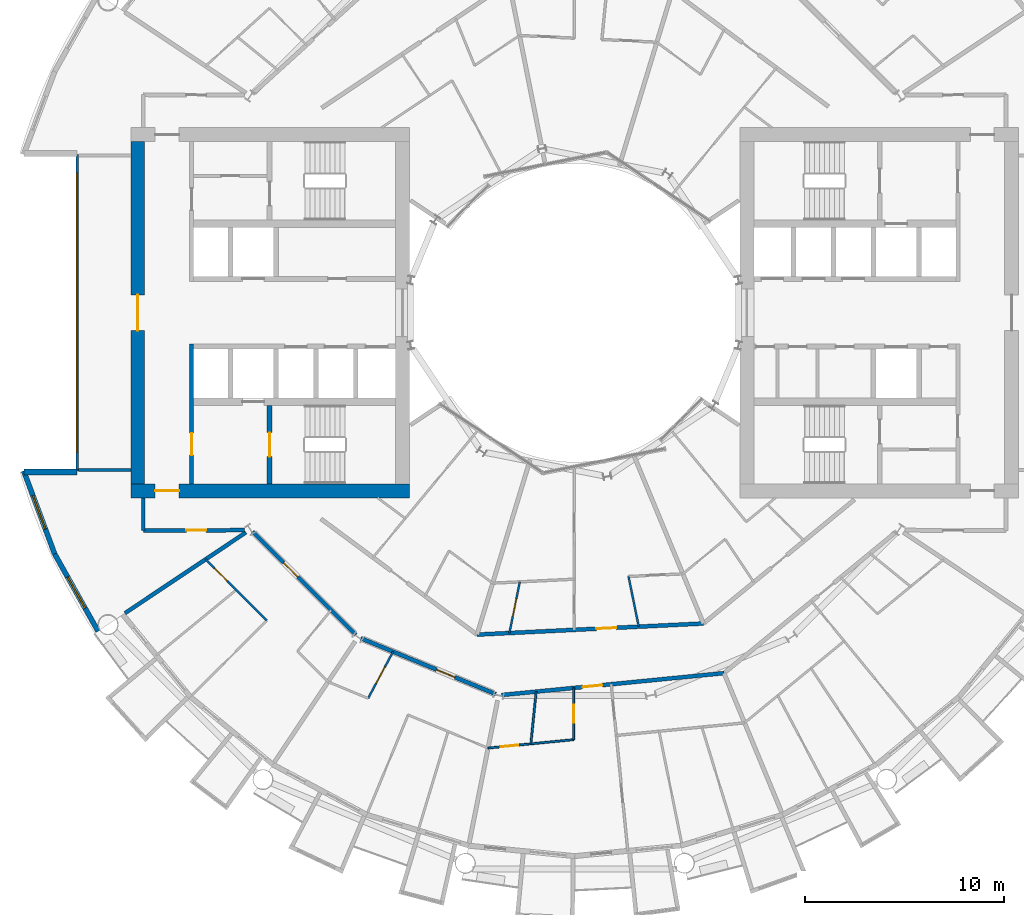
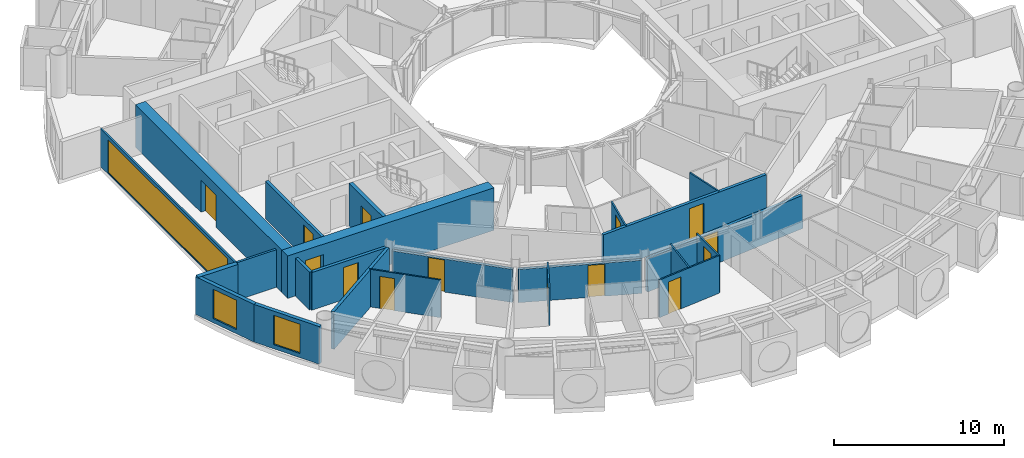
# One storey, part 14 of 26: 23 walls, 14 doors, 3 windows, 17 openings.
"""IFC4 building model written with IfcOpenShell, lengths in metres."""

import ifcopenshell
import ifcopenshell.guid

model = None  # the IFC model being written
_history = None  # IfcOwnerHistory: only IFC2X3 demands one
_inside = {}  # id of a spatial element -> (the spatial element, [elements in it])
_under = {}  # id of a project, library or spatial element -> (it, [spatial elements below it])
_declared = {}  # id of a project -> (the project, [libraries it declares])
_typed = {}  # id of a type object -> (the type object, [elements of that type])
_made_of = {}  # id of a material, layer set ... -> (it, [elements and type objects made of it])


def new_model(schema):
    """Start an empty IFC model of exactly this schema.

    Asked for "IFC4X3", IfcOpenShell would pick the latest addendum, in which some entities
    have other attributes; the version numbers below select the first issue.
    IFC2X3 requires an IfcOwnerHistory on every rooted entity: one is made here for all.
    """
    global model, _history
    if schema == "IFC4X3":
        model = ifcopenshell.file(schema_version=(4, 3, 0, 0))
    else:
        model = ifcopenshell.file(schema=schema)
    _inside.clear()
    _under.clear()
    _declared.clear()
    _typed.clear()
    _made_of.clear()
    _history = None
    if model.schema == "IFC2X3":
        org = make("IfcOrganization", Name="unknown")
        user = make(
            "IfcPersonAndOrganization",
            ThePerson=make("IfcPerson", FamilyName="unknown"),
            TheOrganization=org,
        )
        app = make(
            "IfcApplication",
            ApplicationDeveloper=org,
            Version="unknown",
            ApplicationFullName="unknown",
            ApplicationIdentifier="unknown",
        )
        _history = make(
            "IfcOwnerHistory",
            OwningUser=user,
            OwningApplication=app,
            ChangeAction="ADDED",
            CreationDate=0,
        )
    return model


def make(cls, **values):
    """One entity of the class cls with the attributes given. An attribute that is None is left unset."""
    return model.create_entity(
        cls, **{name: value for name, value in values.items() if value is not None}
    )


def rooted(cls, **values):
    """An entity with a GlobalId (a new one), such as an element, a storey or a relation."""
    return make(cls, GlobalId=ifcopenshell.guid.new(), OwnerHistory=_history, **values)


def si_unit(unit_type, name, prefix=None):
    """IfcSIUnit, for example si_unit("LENGTHUNIT", "METRE", prefix="MILLI")."""
    return make("IfcSIUnit", UnitType=unit_type, Prefix=prefix, Name=name)


def assignment(units):
    """IfcUnitAssignment: the units of a project."""
    return None if units is None else make("IfcUnitAssignment", Units=units)


def point(xyz):
    """IfcCartesianPoint."""
    return None if xyz is None else make("IfcCartesianPoint", Coordinates=xyz)


def direction(xyz):
    """IfcDirection."""
    return None if xyz is None else make("IfcDirection", DirectionRatios=xyz)


def frame(location, z_axis=None, x_axis=None):
    """IfcAxis2Placement3D, a coordinate frame: its origin and axes. An axis left out is left unset."""
    return make(
        "IfcAxis2Placement3D",
        Location=point(location),
        Axis=direction(z_axis),
        RefDirection=direction(x_axis),
    )


def frame_2d(location, x_axis=None):
    """IfcAxis2Placement2D, a coordinate frame in the plane: its origin and x axis."""
    return make(
        "IfcAxis2Placement2D", Location=point(location), RefDirection=direction(x_axis)
    )


def origin():
    """The frame at (0, 0, 0) with its axes left unset."""
    return frame((0.0, 0.0, 0.0))


def place(relative_to, where):
    """IfcLocalPlacement: puts the frame where relative to a parent placement (None: the world)."""
    return make(
        "IfcLocalPlacement", PlacementRelTo=relative_to, RelativePlacement=where
    )


def context(
    kind, dimensions, precision=None, world=None, true_north=None, identifier=None
):
    """IfcGeometricRepresentationContext, for example the 3D "Model" context."""
    return make(
        "IfcGeometricRepresentationContext",
        ContextIdentifier=identifier,
        ContextType=kind,
        CoordinateSpaceDimension=dimensions,
        Precision=precision,
        WorldCoordinateSystem=world,
        TrueNorth=true_north,
    )


def subcontext(parent, identifier, kind, view, scale=None):
    """IfcGeometricRepresentationSubContext, for example "Body" below "Model"."""
    return make(
        "IfcGeometricRepresentationSubContext",
        ContextIdentifier=identifier,
        ContextType=kind,
        ParentContext=parent,
        TargetScale=scale,
        TargetView=view,
    )


def project(units=None, contexts=None):
    """IfcProject with its units and contexts."""
    return rooted(
        "IfcProject",
        Name="project",
        RepresentationContexts=contexts,
        UnitsInContext=assignment(units),
    )


def spatial(cls, under=None, at=None, **own):
    """A site, building, storey or space (cls), placed at a placement, below another one or the project."""
    s = rooted(cls, ObjectPlacement=at, **own)
    if under is not None:
        _under.setdefault(under.id(), (under, []))[1].append(s)
    return s


def profile(cls, at=None, kind="AREA", **sizes):
    """A parametric profile (cls). Its sizes go by their IFC names, for example OverallWidth=200.0."""
    return make(cls, ProfileType=kind, Position=at, **sizes)


def rectangle(**sizes):
    """IfcRectangleProfileDef."""
    return profile("IfcRectangleProfileDef", **sizes)


def extrude(swept, where, along, depth):
    """IfcExtrudedAreaSolid: the profile swept, set in the frame where, extruded along a direction by depth."""
    return make(
        "IfcExtrudedAreaSolid",
        SweptArea=swept,
        Position=where,
        ExtrudedDirection=direction(along),
        Depth=depth,
    )


def shape(context_of_items, identifier, shape_type, items):
    """IfcShapeRepresentation: the items that make up one representation, for example the "Body"."""
    return make(
        "IfcShapeRepresentation",
        ContextOfItems=context_of_items,
        RepresentationIdentifier=identifier,
        RepresentationType=shape_type,
        Items=items,
    )


def material(Name=None, Category=None):
    """IfcMaterial."""
    return make("IfcMaterial", Name=Name, Category=Category)


def layer(
    of_material, thickness, ventilated=None, Name=None, Category=None, Priority=None
):
    """IfcMaterialLayer: one layer of a wall or slab, of a material (None: an air gap)."""
    return make(
        "IfcMaterialLayer",
        Material=of_material,
        LayerThickness=thickness,
        IsVentilated=ventilated,
        Name=Name,
        Category=Category,
        Priority=Priority,
    )


def layer_set(layers, Name=None):
    """IfcMaterialLayerSet."""
    return make("IfcMaterialLayerSet", MaterialLayers=layers, LayerSetName=Name)


def made_of(thing, what):
    """Note that an element or type object is made of a material, layer set ...; save() writes the relation."""
    if what is not None:
        _made_of.setdefault(what.id(), (what, []))[1].append(thing)
    return thing


def type_object(cls, material=None, **own):
    """A type object (cls), such as IfcWallType, which elements share."""
    return made_of(rooted(cls, **own), material)


def element(
    cls,
    number,
    at=None,
    inside=None,
    cuts=None,
    type_object=None,
    material=None,
    context=None,
    identifier="Body",
    shape_type=None,
    held_by="IfcProductDefinitionShape",
    body=None,
    shapes=None,
    **own,
):
    """One element of the class cls, such as IfcWall. Its Tag is "e" and its number.

    at: its placement. inside: the storey or other place that contains it. cuts: it is an
    opening in that element (IfcRelVoidsElement). A single representation is given by context,
    identifier, shape_type and body (its items); several are given by shapes. held_by: the class
    of the entity that holds the representations. save() writes the other relations.
    """
    e = rooted(cls, Tag="e%d" % number, ObjectPlacement=at, **own)
    if body is not None:
        shapes = [shape(context, identifier, shape_type, body)]
    if shapes is not None:
        e.Representation = make(held_by, Representations=shapes)
    if inside is not None:
        _inside.setdefault(inside.id(), (inside, []))[1].append(e)
    if cuts is not None:
        rooted(
            "IfcRelVoidsElement", RelatingBuildingElement=cuts, RelatedOpeningElement=e
        )
    if type_object is not None:
        _typed.setdefault(type_object.id(), (type_object, []))[1].append(e)
    return made_of(e, material)


def fill(opening, filler):
    """IfcRelFillsElement: the door or window that sits in an opening."""
    return rooted(
        "IfcRelFillsElement",
        RelatingOpeningElement=opening,
        RelatedBuildingElement=filler,
    )


def aggregate(whole, parts):
    """IfcRelAggregates: a whole, such as a stair, and the parts it consists of."""
    return rooted("IfcRelAggregates", RelatingObject=whole, RelatedObjects=parts)


def save(model, path):
    """Write the relations noted so far, then the file.

    IfcRelAggregates (storeys below a building ...), IfcRelContainedInSpatialStructure (elements
    in a storey), IfcRelDefinesByType, IfcRelAssociatesMaterial and IfcRelDeclares: one each for
    every whole, place, type object, material and project.
    """
    for whole, parts in _under.values():
        aggregate(whole, parts)
    for where, things in _inside.values():
        rooted(
            "IfcRelContainedInSpatialStructure",
            RelatedElements=things,
            RelatingStructure=where,
        )
    for kind, things in _typed.values():
        rooted("IfcRelDefinesByType", RelatedObjects=things, RelatingType=kind)
    for what, things in _made_of.values():
        rooted("IfcRelAssociatesMaterial", RelatedObjects=things, RelatingMaterial=what)
    for by, libraries in _declared.values():
        rooted("IfcRelDeclares", RelatingContext=by, RelatedDefinitions=libraries)
    model.write(path)


model = new_model("IFC4")

# Units and contexts
model_context = context("Model", 3, precision=1e-05, world=origin(), true_north=direction((0.0, 1.0)))
body_context = subcontext(model_context, "Body", "Model", "MODEL_VIEW")
ifc_project = project(units=[si_unit("LENGTHUNIT", "METRE"), si_unit("AREAUNIT", "SQUARE_METRE"), si_unit("VOLUMEUNIT", "CUBIC_METRE"), si_unit("PLANEANGLEUNIT", "RADIAN"), si_unit("MASSUNIT", "GRAM", prefix="KILO")], contexts=[model_context])

# Site, building, storey
site_placement = place(None, origin())
site = spatial("IfcSite", under=ifc_project, at=site_placement, CompositionType="ELEMENT")
building_placement = place(site_placement, origin())
building = spatial("IfcBuilding", under=site, at=building_placement, Name="Maasbend Ring Residences", CompositionType="ELEMENT")
storey_placement = place(building_placement, frame((0.0, 0.0, 66.64990234375)))
storey = spatial("IfcBuildingStorey", under=building, at=storey_placement, Name="L18", CompositionType="ELEMENT", Elevation=66.64990234375)

# Wall, opening, door
ifc_material_1 = material(Name="Concrete C70/85", Category="concrete")
ifc_layer_1 = layer(ifc_material_1, 0.25)
ifc_layer_set_1 = layer_set([ifc_layer_1], Name="Concrete C70/85")
wall_type_1 = type_object("IfcWallType", Name="CORE WALL 250 C70/85", PredefinedType="SHEAR", material=ifc_layer_set_1)
wall_1_placement = place(storey_placement, frame((-15.324951171875, -4.64990234375, 0.0), z_axis=(0.0, 0.0, 1.0), x_axis=(0.0, -1.0, 0.0)))
wall_1 = element("IfcWall", 1, at=wall_1_placement, inside=storey, type_object=wall_type_1, Name="L18 core W wall STEN", PredefinedType="SHEAR", context=body_context, shape_type="SweptSolid", body=[
    extrude(rectangle(XDim=3.9501953125, YDim=0.25, at=frame_2d((1.97509765625, 0.0))), origin(), (0.0, 0.0, 1.0), 3.050048828125),
])
opening_1_placement = place(wall_1_placement, frame((1.375, 0.0, 0.0)))
opening_1 = element("IfcOpeningElement", 2, at=opening_1_placement, cuts=wall_1, Name="Opening D-W1808", PredefinedType="OPENING", context=body_context, shape_type="SweptSolid", body=[
    extrude(rectangle(XDim=1.199951171875, YDim=2.300048828125, at=frame_2d((0.60009765625, 1.14990234375))), frame((0.0, 0.135009765625, 0.0), z_axis=(0.0, -1.0, 0.0), x_axis=(1.0, 0.0, 0.0)), (0.0, 0.0, 1.0), 0.27001953125),
])
ifc_material_2 = material(Name="Steel, powder coated", Category="steel")
door_type_1 = type_object("IfcDoorType", Name="STAIR DOOR 1200 X 2300 FD60", OperationType="NOTDEFINED", PredefinedType="DOOR", material=ifc_material_2)
door_1_placement = place(opening_1_placement, origin())
door_1 = element("IfcDoor", 3, at=door_1_placement, inside=storey, type_object=door_type_1, Name="Stair door ST-W L18", OperationType="SINGLE_SWING_LEFT", OverallHeight=2.300048828125, OverallWidth=1.199951171875, PredefinedType="DOOR", context=body_context, shape_type="SweptSolid", body=[
    extrude(rectangle(XDim=1.199951171875, YDim=2.300048828125, at=frame_2d((0.60009765625, 1.14990234375))), frame((0.0, 0.02490234375, 0.0), z_axis=(0.0, -1.0, 0.0), x_axis=(1.0, 0.0, 0.0)), (0.0, 0.0, 1.0), 0.050048828125),
])
fill(opening_1, door_1)

ifc_material_3 = material(Name="Concrete C70/85", Category="concrete")
ifc_layer_2 = layer(ifc_material_3, 0.699951171875)
ifc_layer_set_2 = layer_set([ifc_layer_2], Name="Concrete C70/85")
wall_type_2 = type_object("IfcWallType", Name="CORE WALL 700 C70/85", PredefinedType="SHEAR", material=ifc_layer_set_2)
wall_2_placement = place(storey_placement, frame((-22.300048828125, -8.949951171875, 0.0), z_axis=(0.0, 0.0, 1.0), x_axis=(1.0, 0.0, 0.0)))
wall_2 = element("IfcWall", 4, at=wall_2_placement, inside=storey, type_object=wall_type_2, Name="L18 core W wall PN", PredefinedType="SHEAR", context=body_context, shape_type="SweptSolid", body=[
    extrude(rectangle(XDim=14.0, YDim=0.699951171875, at=frame_2d((7.0, 0.0))), origin(), (0.0, 0.0, 1.0), 3.050048828125),
])
opening_2_placement = place(wall_2_placement, frame((1.22509765625, 0.0, 0.0)))
opening_2 = element("IfcOpeningElement", 5, at=opening_2_placement, cuts=wall_2, Name="Opening D-W1812", PredefinedType="OPENING", context=body_context, shape_type="SweptSolid", body=[
    extrude(rectangle(XDim=1.199951171875, YDim=2.300048828125, at=frame_2d((0.60009765625, 1.14990234375))), frame((0.0, 0.35986328125, 0.0), z_axis=(0.0, -1.0, 0.0), x_axis=(1.0, 0.0, 0.0)), (0.0, 0.0, 1.0), 0.719970703125),
])
ifc_material_4 = material(Name="Steel, powder coated", Category="steel")
door_type_2 = type_object("IfcDoorType", Name="CORRIDOR DOOR 1200 X 2300 FD30S", OperationType="NOTDEFINED", PredefinedType="DOOR", material=ifc_material_4)
door_2_placement = place(opening_2_placement, origin())
door_2 = element("IfcDoor", 6, at=door_2_placement, inside=storey, type_object=door_type_2, Name="Corridor door L18", OperationType="SINGLE_SWING_RIGHT", OverallHeight=2.300048828125, OverallWidth=1.199951171875, PredefinedType="DOOR", context=body_context, shape_type="SweptSolid", body=[
    extrude(rectangle(XDim=1.199951171875, YDim=2.300048828125, at=frame_2d((0.60009765625, 1.14990234375))), frame((0.0, 0.02490234375, 0.0), z_axis=(0.0, -1.0, 0.0), x_axis=(1.0, 0.0, 0.0)), (0.0, 0.0, 1.0), 0.050048828125),
])
fill(opening_2, door_2)

wall_3_placement = place(storey_placement, frame((-21.949951171875, -8.60009765625, 0.0), z_axis=(0.0, 0.0, 1.0), x_axis=(0.0, 1.0, 0.0)))
wall_3 = element("IfcWall", 7, at=wall_3_placement, inside=storey, type_object=wall_type_2, Name="L18 core W wall POUT", PredefinedType="SHEAR", context=body_context, shape_type="SweptSolid", body=[
    extrude(rectangle(XDim=17.2001953125, YDim=0.699951171875, at=frame_2d((8.60009765625, 0.0))), origin(), (0.0, 0.0, 1.0), 3.050048828125),
])
opening_3_placement = place(wall_3_placement, frame((7.699951171875, 0.0, 0.0)))
opening_3 = element("IfcOpeningElement", 8, at=opening_3_placement, cuts=wall_3, Name="Opening D-W1814", PredefinedType="OPENING", context=body_context, shape_type="SweptSolid", body=[
    extrude(rectangle(XDim=1.800048828125, YDim=2.300048828125, at=frame_2d((0.89990234375, 1.14990234375))), frame((0.0, 0.35986328125, 0.0), z_axis=(0.0, -1.0, 0.0), x_axis=(1.0, 0.0, 0.0)), (0.0, 0.0, 1.0), 0.719970703125),
])
ifc_material_5 = material(Name="Aluminium frame, clear glass", Category="aluminium")
door_type_3 = type_object("IfcDoorType", Name="ENTRANCE DOOR 1800 X 2300 FD60", OperationType="NOTDEFINED", PredefinedType="DOOR", material=ifc_material_5)
door_3_placement = place(opening_3_placement, origin())
door_3 = element("IfcDoor", 9, at=door_3_placement, inside=storey, type_object=door_type_3, Name="Lobby glazed door L18", OperationType="SINGLE_SWING_LEFT", OverallHeight=2.300048828125, OverallWidth=1.800048828125, PredefinedType="DOOR", context=body_context, shape_type="SweptSolid", body=[
    extrude(rectangle(XDim=1.800048828125, YDim=2.300048828125, at=frame_2d((0.89990234375, 1.14990234375))), frame((0.0, 0.02490234375, 0.0), z_axis=(0.0, -1.0, 0.0), x_axis=(1.0, 0.0, 0.0)), (0.0, 0.0, 1.0), 0.050048828125),
])
fill(opening_3, door_3)

ifc_material_6 = material(Name="Concrete C30/37", Category="concrete")
ifc_layer_3 = layer(ifc_material_6, 0.199951171875)
ifc_layer_set_3 = layer_set([ifc_layer_3], Name="Concrete C30/37")
wall_type_3 = type_object("IfcWallType", Name="CORRIDOR WALL 200 CONCRETE", PredefinedType="PARTITIONING", material=ifc_layer_set_3)
wall_4_placement = place(storey_placement, frame((-16.18603515625, -11.0, 0.0), z_axis=(0.0, 0.0, 1.0), x_axis=(0.707106781187, -0.707106781187, 0.0)))
wall_4 = element("IfcWall", 10, at=wall_4_placement, inside=storey, type_object=wall_type_3, Name="U-L18-w011", PredefinedType="PARTITIONING", context=body_context, shape_type="SweptSolid", body=[
    extrude(rectangle(XDim=7.334228515625, YDim=0.199951171875, at=frame_2d((3.6669921875, 0.0))), origin(), (0.0, 0.0, 1.0), 2.380126953125),
])
opening_4_placement = place(wall_4_placement, frame((2.2109375, 0.0, 0.0)))
opening_4 = element("IfcOpeningElement", 11, at=opening_4_placement, cuts=wall_4, Name="Opening D-1835", PredefinedType="OPENING", context=body_context, shape_type="SweptSolid", body=[
    extrude(rectangle(XDim=1.0, YDim=2.300048828125, at=frame_2d((0.5, 1.14990234375))), frame((0.0, 0.10986328125, 0.0), z_axis=(0.0, -1.0, 0.0), x_axis=(1.0, 0.0, 0.0)), (0.0, 0.0, 1.0), 0.219970703125),
])
ifc_material_7 = material(Name="Timber, fire-rated, painted", Category="wood")
door_type_4 = type_object("IfcDoorType", Name="FLAT ENTRANCE DOOR 1000 X 2300 FIRE-RATED", OperationType="NOTDEFINED", PredefinedType="DOOR", material=ifc_material_7)
door_4_placement = place(opening_4_placement, origin())
door_4 = element("IfcDoor", 12, at=door_4_placement, inside=storey, type_object=door_type_4, Name="D-1835", OperationType="SINGLE_SWING_LEFT", OverallHeight=2.300048828125, OverallWidth=1.0, PredefinedType="DOOR", context=body_context, shape_type="SweptSolid", body=[
    extrude(rectangle(XDim=1.0, YDim=2.300048828125, at=frame_2d((0.5, 1.14990234375))), frame((0.0, 0.02490234375, 0.0), z_axis=(0.0, -1.0, 0.0), x_axis=(1.0, 0.0, 0.0)), (0.0, 0.0, 1.0), 0.050048828125),
])
fill(opening_4, door_4)

wall_5_placement = place(storey_placement, frame((-10.7451171875, -16.35595703125, 0.0), z_axis=(0.0, 0.0, 1.0), x_axis=(0.923881347896, -0.382679049609, 0.0)))
wall_5 = element("IfcWall", 13, at=wall_5_placement, inside=storey, type_object=wall_type_3, Name="U-L18-w012", PredefinedType="PARTITIONING", context=body_context, shape_type="SweptSolid", body=[
    extrude(rectangle(XDim=7.33544921875, YDim=0.199951171875, at=frame_2d((3.667724609375, 0.0))), origin(), (0.0, 0.0, 1.0), 2.380126953125),
])
opening_5_placement = place(wall_5_placement, frame((4.1240234375, 0.0, 0.0)))
opening_5 = element("IfcOpeningElement", 14, at=opening_5_placement, cuts=wall_5, Name="Opening D-1839", PredefinedType="OPENING", context=body_context, shape_type="SweptSolid", body=[
    extrude(rectangle(XDim=1.0, YDim=2.300048828125, at=frame_2d((0.5, 1.14990234375))), frame((0.0, 0.10986328125, 0.0), z_axis=(0.0, -1.0, 0.0), x_axis=(1.0, 0.0, 0.0)), (0.0, 0.0, 1.0), 0.219970703125),
])
door_5_placement = place(opening_5_placement, origin())
door_5 = element("IfcDoor", 15, at=door_5_placement, inside=storey, type_object=door_type_4, Name="D-1839", OperationType="SINGLE_SWING_RIGHT", OverallHeight=2.300048828125, OverallWidth=1.0, PredefinedType="DOOR", context=body_context, shape_type="SweptSolid", body=[
    extrude(rectangle(XDim=1.0, YDim=2.300048828125, at=frame_2d((0.5, 1.14990234375))), frame((0.0, 0.02490234375, 0.0), z_axis=(0.0, -1.0, 0.0), x_axis=(1.0, 0.0, 0.0)), (0.0, 0.0, 1.0), 0.050048828125),
])
fill(opening_5, door_5)

wall_6_placement = place(storey_placement, frame((-3.6650390625, -19.20703125, 0.0), z_axis=(0.0, 0.0, 1.0), x_axis=(0.995190249661, 0.097961048277, 0.0)))
wall_6 = element("IfcWall", 16, at=wall_6_placement, inside=storey, type_object=wall_type_3, Name="U-L18-w013", PredefinedType="PARTITIONING", context=body_context, shape_type="SweptSolid", body=[
    extrude(rectangle(XDim=11.219970703125, YDim=0.199951171875, at=frame_2d((5.60986328125, 0.0))), origin(), (0.0, 0.0, 1.0), 2.380126953125),
])
opening_6_placement = place(wall_6_placement, frame((4.080078125, 0.0, 0.0)))
opening_6 = element("IfcOpeningElement", 17, at=opening_6_placement, cuts=wall_6, Name="Opening D-1843", PredefinedType="OPENING", context=body_context, shape_type="SweptSolid", body=[
    extrude(rectangle(XDim=1.0, YDim=2.300048828125, at=frame_2d((0.5, 1.14990234375))), frame((0.0, 0.10986328125, 0.0), z_axis=(0.0, -1.0, 0.0), x_axis=(1.0, 0.0, 0.0)), (0.0, 0.0, 1.0), 0.219970703125),
])
door_6_placement = place(opening_6_placement, origin())
door_6 = element("IfcDoor", 18, at=door_6_placement, inside=storey, type_object=door_type_4, Name="D-1843", OperationType="SINGLE_SWING_LEFT", OverallHeight=2.300048828125, OverallWidth=1.0, PredefinedType="DOOR", context=body_context, shape_type="SweptSolid", body=[
    extrude(rectangle(XDim=1.0, YDim=2.300048828125, at=frame_2d((0.5, 1.14990234375))), frame((0.0, 0.02490234375, 0.0), z_axis=(0.0, -1.0, 0.0), x_axis=(1.0, 0.0, 0.0)), (0.0, 0.0, 1.0), 0.050048828125),
])
fill(opening_6, door_6)

wall_7_placement = place(storey_placement, frame((-4.908935546875, -16.172119140625, 0.0), z_axis=(0.0, 0.0, 1.0), x_axis=(0.99879913765, 0.048992679355, 0.0)))
wall_7 = element("IfcWall", 19, at=wall_7_placement, inside=storey, type_object=wall_type_3, Name="U-L18-w017", PredefinedType="PARTITIONING", context=body_context, shape_type="SweptSolid", body=[
    extrude(rectangle(XDim=11.3916015625, YDim=0.199951171875, at=frame_2d((5.69580078125, 0.0))), origin(), (0.0, 0.0, 1.0), 2.7001953125),
])
opening_7_placement = place(wall_7_placement, frame((6.010986328125, 0.0, 0.0)))
opening_7 = element("IfcOpeningElement", 20, at=opening_7_placement, cuts=wall_7, Name="Opening D-1861", PredefinedType="OPENING", context=body_context, shape_type="SweptSolid", body=[
    extrude(rectangle(XDim=1.0, YDim=2.300048828125, at=frame_2d((0.5, 1.14990234375))), frame((0.0, 0.10986328125, 0.0), z_axis=(0.0, -1.0, 0.0), x_axis=(1.0, 0.0, 0.0)), (0.0, 0.0, 1.0), 0.219970703125),
])
door_7_placement = place(opening_7_placement, origin())
door_7 = element("IfcDoor", 21, at=door_7_placement, inside=storey, type_object=door_type_4, Name="D-1861", OperationType="SINGLE_SWING_RIGHT", OverallHeight=2.300048828125, OverallWidth=1.0, PredefinedType="DOOR", context=body_context, shape_type="SweptSolid", body=[
    extrude(rectangle(XDim=1.0, YDim=2.300048828125, at=frame_2d((0.5, 1.14990234375))), frame((0.0, 0.02490234375, 0.0), z_axis=(0.0, -1.0, 0.0), x_axis=(1.0, 0.0, 0.0)), (0.0, 0.0, 1.0), 0.050048828125),
])
fill(opening_7, door_7)

wall_8_placement = place(storey_placement, frame((-21.675048828125, -10.949951171875, 0.0), z_axis=(0.0, 0.0, 1.0), x_axis=(0.999988019025, 0.004895079807, 0.0)))
wall_8 = element("IfcWall", 22, at=wall_8_placement, inside=storey, type_object=wall_type_3, Name="U-L18-w025", PredefinedType="PARTITIONING", context=body_context, shape_type="SweptSolid", body=[
    extrude(rectangle(XDim=5.087158203125, YDim=0.199951171875, at=frame_2d((2.54345703125, 0.0))), origin(), (0.0, 0.0, 1.0), 2.7001953125),
])
opening_8_placement = place(wall_8_placement, frame((2.1630859375, 0.0, 0.0)))
opening_8 = element("IfcOpeningElement", 23, at=opening_8_placement, cuts=wall_8, Name="Opening D-1870", PredefinedType="OPENING", context=body_context, shape_type="SweptSolid", body=[
    extrude(rectangle(XDim=1.0, YDim=2.300048828125, at=frame_2d((0.5, 1.14990234375))), frame((0.0, 0.10986328125, 0.0), z_axis=(0.0, -1.0, 0.0), x_axis=(1.0, 0.0, 0.0)), (0.0, 0.0, 1.0), 0.219970703125),
])
ifc_material_8 = material(Name="Timber, painted", Category="wood")
door_type_5 = type_object("IfcDoorType", Name="ROOM DOOR 1000 X 2300", OperationType="NOTDEFINED", PredefinedType="DOOR", material=ifc_material_8)
door_8_placement = place(opening_8_placement, origin())
door_8 = element("IfcDoor", 24, at=door_8_placement, inside=storey, type_object=door_type_5, Name="D-1870", OperationType="SINGLE_SWING_RIGHT", OverallHeight=2.300048828125, OverallWidth=1.0, PredefinedType="DOOR", context=body_context, shape_type="SweptSolid", body=[
    extrude(rectangle(XDim=1.0, YDim=2.300048828125, at=frame_2d((0.5, 1.14990234375))), frame((0.0, 0.02490234375, 0.0), z_axis=(0.0, -1.0, 0.0), x_axis=(1.0, 0.0, 0.0)), (0.0, 0.0, 1.0), 0.050048828125),
])
fill(opening_8, door_8)

# Wall
wall_9_placement = place(storey_placement, frame((-21.675048828125, -10.949951171875, 0.0), z_axis=(0.0, 0.0, 1.0), x_axis=(0.0, 1.0, 0.0)))
element("IfcWall", 25, at=wall_9_placement, inside=storey, type_object=wall_type_3, Name="U-L18-w114", PredefinedType="PARTITIONING", context=body_context, shape_type="SweptSolid", body=[
    extrude(rectangle(XDim=1.64990234375, YDim=0.199951171875, at=frame_2d((0.824951171875, 0.0))), origin(), (0.0, 0.0, 1.0), 2.7001953125),
])

# Wall, opening, window
ifc_material_9 = material(Name="Aluminium clad insulated panel", Category="aluminium")
ifc_layer_4 = layer(ifc_material_9, 0.25)
ifc_layer_set_4 = layer_set([ifc_layer_4], Name="EW-HORN")
wall_type_4 = type_object("IfcWallType", Name="EW-HORN", PredefinedType="SOLIDWALL", material=ifc_layer_set_4)
wall_10_placement = place(storey_placement, frame((-27.681884765625, -7.945068359375, 0.0), z_axis=(0.0, 0.0, 1.0), x_axis=(0.349247811493, -0.937030397675, 0.0)))
wall_10 = element("IfcWall", 26, at=wall_10_placement, inside=storey, type_object=wall_type_4, Name="Horn wall 3.1", PredefinedType="SOLIDWALL", context=body_context, shape_type="SweptSolid", body=[
    extrude(rectangle(XDim=4.4521484375, YDim=0.25, at=frame_2d((2.22607421875, 0.0))), origin(), (0.0, 0.0, 1.0), 2.7001953125),
])
opening_9_placement = place(wall_10_placement, frame((1.32666015625, 0.0, 0.300048828125)))
opening_9 = element("IfcOpeningElement", 27, at=opening_9_placement, cuts=wall_10, Name="Opening W-BX", PredefinedType="OPENING", context=body_context, shape_type="SweptSolid", body=[
    extrude(rectangle(XDim=1.800048828125, YDim=2.10009765625, at=frame_2d((0.89990234375, 1.050048828125))), frame((0.0, 0.135009765625, 0.0), z_axis=(0.0, -1.0, 0.0), x_axis=(1.0, 0.0, 0.0)), (0.0, 0.0, 1.0), 0.27001953125),
])
ifc_material_10 = material(Name="Aluminium and clear glass", Category="aluminium")
window_type_1 = type_object("IfcWindowType", Name="W-BX", PartitioningType="DOUBLE_PANEL_VERTICAL", PredefinedType="WINDOW", material=ifc_material_10)
window_1_placement = place(opening_9_placement, origin())
window_1 = element("IfcWindow", 28, at=window_1_placement, inside=storey, type_object=window_type_1, Name="Horn window 3.1", OverallHeight=2.10009765625, OverallWidth=1.800048828125, PartitioningType="SINGLE_PANEL", PredefinedType="WINDOW", context=body_context, shape_type="SweptSolid", body=[
    extrude(rectangle(XDim=1.800048828125, YDim=2.10009765625, at=frame_2d((0.89990234375, 1.050048828125))), frame((0.0, 0.030029296875, 0.0), z_axis=(0.0, -1.0, 0.0), x_axis=(1.0, 0.0, 0.0)), (0.0, 0.0, 1.0), 0.06005859375),
])
fill(opening_9, window_1)

wall_11_placement = place(storey_placement, frame((-26.126953125, -12.116943359375, 0.0), z_axis=(0.0, 0.0, 1.0), x_axis=(0.489696356642, -0.871893042919, 0.0)))
wall_11 = element("IfcWall", 29, at=wall_11_placement, inside=storey, type_object=wall_type_4, Name="Horn wall 3.2", PredefinedType="SOLIDWALL", context=body_context, shape_type="SweptSolid", body=[
    extrude(rectangle(XDim=4.45361328125, YDim=0.25, at=frame_2d((2.226806640625, 0.0))), origin(), (0.0, 0.0, 1.0), 2.7001953125),
])
opening_10_placement = place(wall_11_placement, frame((1.32666015625, 0.0, 0.300048828125)))
opening_10 = element("IfcOpeningElement", 30, at=opening_10_placement, cuts=wall_11, Name="Opening W-BX", PredefinedType="OPENING", context=body_context, shape_type="SweptSolid", body=[
    extrude(rectangle(XDim=1.800048828125, YDim=2.10009765625, at=frame_2d((0.89990234375, 1.050048828125))), frame((0.0, 0.135009765625, 0.0), z_axis=(0.0, -1.0, 0.0), x_axis=(1.0, 0.0, 0.0)), (0.0, 0.0, 1.0), 0.27001953125),
])
window_2_placement = place(opening_10_placement, origin())
window_2 = element("IfcWindow", 31, at=window_2_placement, inside=storey, type_object=window_type_1, Name="Horn window 3.2", OverallHeight=2.10009765625, OverallWidth=1.800048828125, PartitioningType="SINGLE_PANEL", PredefinedType="WINDOW", context=body_context, shape_type="SweptSolid", body=[
    extrude(rectangle(XDim=1.800048828125, YDim=2.10009765625, at=frame_2d((0.89990234375, 1.050048828125))), frame((0.0, 0.030029296875, 0.0), z_axis=(0.0, -1.0, 0.0), x_axis=(1.0, 0.0, 0.0)), (0.0, 0.0, 1.0), 0.06005859375),
])
fill(opening_10, window_2)

# Wall
ifc_material_11 = material(Name="Aluminium clad insulated panel", Category="aluminium")
ifc_layer_5 = layer(ifc_material_11, 0.300048828125)
ifc_layer_set_5 = layer_set([ifc_layer_5], Name="EW-RET")
wall_type_5 = type_object("IfcWallType", Name="EW-RET", PredefinedType="SOLIDWALL", material=ifc_layer_set_5)
wall_12_placement = place(storey_placement, frame((-25.0, -8.0, 0.0), z_axis=(0.0, 0.0, 1.0), x_axis=(-1.0, 0.0, 0.0)))
element("IfcWall", 32, at=wall_12_placement, inside=storey, type_object=wall_type_5, Name="Notch return wall west south", PredefinedType="SOLIDWALL", context=body_context, shape_type="SweptSolid", body=[
    extrude(rectangle(XDim=2.6669921875, YDim=0.300048828125, at=frame_2d((1.33349609375, 0.0))), origin(), (0.0, 0.0, 1.0), 2.7001953125),
])

# Wall, opening, window
ifc_material_12 = material(Name="Aluminium frame and clear glass", Category="aluminium")
ifc_layer_6 = layer(ifc_material_12, 0.1201171875)
ifc_layer_set_6 = layer_set([ifc_layer_6], Name="GLAZED SCREEN WALL 120 EI 60")
wall_type_6 = type_object("IfcWallType", Name="GLAZED SCREEN WALL 120 EI 60", PredefinedType="PARTITIONING", material=ifc_layer_set_6)
wall_13_placement = place(storey_placement, frame((-25.0, 7.949951171875, 0.0), z_axis=(0.0, 0.0, 1.0), x_axis=(0.0, -1.0, 0.0)))
wall_13 = element("IfcWall", 33, at=wall_13_placement, inside=storey, type_object=wall_type_6, Name="L18 core W wall FACE", PredefinedType="PARTITIONING", context=body_context, shape_type="SweptSolid", body=[
    extrude(rectangle(XDim=15.89990234375, YDim=0.1201171875, at=frame_2d((7.949951171875, 0.0))), origin(), (0.0, 0.0, 1.0), 2.7001953125),
])
opening_11_placement = place(wall_13_placement, frame((0.949951171875, 0.0, 0.10009765625)))
opening_11 = element("IfcOpeningElement", 34, at=opening_11_placement, cuts=wall_13, Name="Opening W-W1802", PredefinedType="OPENING", context=body_context, shape_type="SweptSolid", body=[
    extrude(rectangle(XDim=14.0, YDim=2.35009765625, at=frame_2d((7.0, 1.175048828125))), frame((0.0, 0.070068359375, 0.0), z_axis=(0.0, -1.0, 0.0), x_axis=(1.0, 0.0, 0.0)), (0.0, 0.0, 1.0), 0.14013671875),
])
ifc_material_13 = material(Name="Aluminium frame and clear glass", Category="aluminium")
window_type_2 = type_object("IfcWindowType", Name="FIXED WINDOW 14000 X 2350", PartitioningType="SINGLE_PANEL", PredefinedType="WINDOW", material=ifc_material_13)
window_3_placement = place(opening_11_placement, origin())
window_3 = element("IfcWindow", 35, at=window_3_placement, inside=storey, type_object=window_type_2, Name="Lobby window L18", OverallHeight=2.35009765625, OverallWidth=14.0, PartitioningType="SINGLE_PANEL", PredefinedType="WINDOW", context=body_context, shape_type="SweptSolid", body=[
    extrude(rectangle(XDim=14.0, YDim=2.35009765625, at=frame_2d((7.0, 1.175048828125))), frame((0.0, 0.030029296875, 0.0), z_axis=(0.0, -1.0, 0.0), x_axis=(1.0, 0.0, 0.0)), (0.0, 0.0, 1.0), 0.06005859375),
])
fill(opening_11, window_3)

# Wall, opening, door
ifc_material_14 = material(Name="Gypsum board on steel studs", Category="steel")
ifc_layer_7 = layer(ifc_material_14, 0.10009765625)
ifc_layer_set_7 = layer_set([ifc_layer_7], Name="PARTITION 100 GYPSUM")
wall_type_7 = type_object("IfcWallType", Name="PARTITION 100 GYPSUM", PredefinedType="PARTITIONING", material=ifc_layer_set_7)
wall_14_placement = place(storey_placement, frame((-18.544921875, -12.385986328125, 0.0), z_axis=(0.0, 0.0, 1.0), x_axis=(0.707106781187, -0.707106781187, 0.0)))
wall_14 = element("IfcWall", 36, at=wall_14_placement, inside=storey, type_object=wall_type_7, Name="U-L18-w001", PredefinedType="PARTITIONING", context=body_context, shape_type="SweptSolid", body=[
    extrude(rectangle(XDim=4.351318359375, YDim=0.10009765625, at=frame_2d((2.17578125, 0.0))), origin(), (0.0, 0.0, 1.0), 2.7001953125),
])
opening_12_placement = place(wall_14_placement, frame((0.64404296875, 0.0, 0.0)))
opening_12 = element("IfcOpeningElement", 37, at=opening_12_placement, cuts=wall_14, Name="Opening D-1838", PredefinedType="OPENING", context=body_context, shape_type="SweptSolid", body=[
    extrude(rectangle(XDim=0.89990234375, YDim=2.300048828125, at=frame_2d((0.449951171875, 1.14990234375))), frame((0.0, 0.06005859375, 0.0), z_axis=(0.0, -1.0, 0.0), x_axis=(1.0, 0.0, 0.0)), (0.0, 0.0, 1.0), 0.1201171875),
])
ifc_material_15 = material(Name="Timber, painted", Category="wood")
door_type_6 = type_object("IfcDoorType", Name="INTERNAL DOOR 900 X 2300", OperationType="NOTDEFINED", PredefinedType="DOOR", material=ifc_material_15)
door_9_placement = place(opening_12_placement, origin())
door_9 = element("IfcDoor", 38, at=door_9_placement, inside=storey, type_object=door_type_6, Name="D-1838", OperationType="SINGLE_SWING_LEFT", OverallHeight=2.300048828125, OverallWidth=0.89990234375, PredefinedType="DOOR", context=body_context, shape_type="SweptSolid", body=[
    extrude(rectangle(XDim=0.89990234375, YDim=2.300048828125, at=frame_2d((0.449951171875, 1.14990234375))), frame((0.0, 0.02490234375, 0.0), z_axis=(0.0, -1.0, 0.0), x_axis=(1.0, 0.0, 0.0)), (0.0, 0.0, 1.0), 0.050048828125),
])
fill(opening_12, door_9)

wall_15_placement = place(storey_placement, frame((-4.360107421875, -21.8720703125, 0.0), z_axis=(0.0, 0.0, 1.0), x_axis=(0.995203449084, 0.097826862012, 0.0)))
wall_15 = element("IfcWall", 39, at=wall_15_placement, inside=storey, type_object=wall_type_7, Name="U-L18-w007", PredefinedType="PARTITIONING", context=body_context, shape_type="SweptSolid", body=[
    extrude(rectangle(XDim=4.324951171875, YDim=0.10009765625, at=frame_2d((2.16259765625, 0.0))), origin(), (0.0, 0.0, 1.0), 2.7001953125),
])
opening_13_placement = place(wall_15_placement, frame((0.639892578125, 0.0, 0.0)))
opening_13 = element("IfcOpeningElement", 40, at=opening_13_placement, cuts=wall_15, Name="Opening D-1844", PredefinedType="OPENING", context=body_context, shape_type="SweptSolid", body=[
    extrude(rectangle(XDim=0.89990234375, YDim=2.300048828125, at=frame_2d((0.449951171875, 1.14990234375))), frame((0.0, 0.06005859375, 0.0), z_axis=(0.0, -1.0, 0.0), x_axis=(1.0, 0.0, 0.0)), (0.0, 0.0, 1.0), 0.1201171875),
])
door_10_placement = place(opening_13_placement, origin())
door_10 = element("IfcDoor", 41, at=door_10_placement, inside=storey, type_object=door_type_6, Name="D-1844", OperationType="SINGLE_SWING_LEFT", OverallHeight=2.300048828125, OverallWidth=0.89990234375, PredefinedType="DOOR", context=body_context, shape_type="SweptSolid", body=[
    extrude(rectangle(XDim=0.89990234375, YDim=2.300048828125, at=frame_2d((0.449951171875, 1.14990234375))), frame((0.0, 0.02490234375, 0.0), z_axis=(0.0, -1.0, 0.0), x_axis=(1.0, 0.0, 0.0)), (0.0, 0.0, 1.0), 0.050048828125),
])
fill(opening_13, door_10)

wall_16_placement = place(storey_placement, frame((-10.3798828125, -19.3740234375, 0.0), z_axis=(0.0, 0.0, 1.0), x_axis=(0.472244323015, 0.881467696164, 0.0)))
wall_16 = element("IfcWall", 42, at=wall_16_placement, inside=storey, type_object=wall_type_7, Name="U-L18-w041", PredefinedType="PARTITIONING", context=body_context, shape_type="SweptSolid", body=[
    extrude(rectangle(XDim=2.661376953125, YDim=0.10009765625, at=frame_2d((1.33056640625, 0.0))), origin(), (0.0, 0.0, 1.0), 2.7001953125),
])
opening_14_placement = place(wall_16_placement, frame((0.881103515625, 0.0, 0.0)))
opening_14 = element("IfcOpeningElement", 43, at=opening_14_placement, cuts=wall_16, Name="Opening D-1840", PredefinedType="OPENING", context=body_context, shape_type="SweptSolid", body=[
    extrude(rectangle(XDim=0.89990234375, YDim=2.300048828125, at=frame_2d((0.449951171875, 1.14990234375))), frame((0.0, 0.06005859375, 0.0), z_axis=(0.0, -1.0, 0.0), x_axis=(1.0, 0.0, 0.0)), (0.0, 0.0, 1.0), 0.1201171875),
])
door_11_placement = place(opening_14_placement, origin())
door_11 = element("IfcDoor", 44, at=door_11_placement, inside=storey, type_object=door_type_6, Name="D-1840", OperationType="SINGLE_SWING_RIGHT", OverallHeight=2.300048828125, OverallWidth=0.89990234375, PredefinedType="DOOR", context=body_context, shape_type="SweptSolid", body=[
    extrude(rectangle(XDim=0.89990234375, YDim=2.300048828125, at=frame_2d((0.449951171875, 1.14990234375))), frame((0.0, 0.02490234375, 0.0), z_axis=(0.0, -1.0, 0.0), x_axis=(1.0, 0.0, 0.0)), (0.0, 0.0, 1.0), 0.050048828125),
])
fill(opening_14, door_11)

wall_17_placement = place(storey_placement, frame((-3.281005859375, -16.092041015625, 0.0), z_axis=(0.0, 0.0, 1.0), x_axis=(0.199675621436, 0.979862054681, 0.0)))
wall_17 = element("IfcWall", 45, at=wall_17_placement, inside=storey, type_object=wall_type_7, Name="U-L18-w054", PredefinedType="PARTITIONING", context=body_context, shape_type="SweptSolid", body=[
    extrude(rectangle(XDim=2.623779296875, YDim=0.10009765625, at=frame_2d((1.31201171875, 0.0))), origin(), (0.0, 0.0, 1.0), 2.7001953125),
])
opening_15_placement = place(wall_17_placement, frame((0.862060546875, 0.0, 0.0)))
opening_15 = element("IfcOpeningElement", 46, at=opening_15_placement, cuts=wall_17, Name="Opening D-1864", PredefinedType="OPENING", context=body_context, shape_type="SweptSolid", body=[
    extrude(rectangle(XDim=0.89990234375, YDim=2.300048828125, at=frame_2d((0.449951171875, 1.14990234375))), frame((0.0, 0.06005859375, 0.0), z_axis=(0.0, -1.0, 0.0), x_axis=(1.0, 0.0, 0.0)), (0.0, 0.0, 1.0), 0.1201171875),
])
door_12_placement = place(opening_15_placement, origin())
door_12 = element("IfcDoor", 47, at=door_12_placement, inside=storey, type_object=door_type_6, Name="D-1864", OperationType="SINGLE_SWING_LEFT", OverallHeight=2.300048828125, OverallWidth=0.89990234375, PredefinedType="DOOR", context=body_context, shape_type="SweptSolid", body=[
    extrude(rectangle(XDim=0.89990234375, YDim=2.300048828125, at=frame_2d((0.449951171875, 1.14990234375))), frame((0.0, 0.02490234375, 0.0), z_axis=(0.0, -1.0, 0.0), x_axis=(1.0, 0.0, 0.0)), (0.0, 0.0, 1.0), 0.050048828125),
])
fill(opening_15, door_12)

# Wall
wall_18_placement = place(storey_placement, frame((-2.202880859375, -21.659912109375, 0.0), z_axis=(0.0, 0.0, 1.0), x_axis=(0.101218154182, 0.994864254692, 0.0)))
element("IfcWall", 48, at=wall_18_placement, inside=storey, type_object=wall_type_7, Name="U-L18-w056", PredefinedType="PARTITIONING", context=body_context, shape_type="SweptSolid", body=[
    extrude(rectangle(XDim=2.63623046875, YDim=0.10009765625, at=frame_2d((1.318115234375, 0.0))), origin(), (0.0, 0.0, 1.0), 2.7001953125),
])

# Wall, opening, door
wall_19_placement = place(storey_placement, frame((-0.055908203125, -21.448974609375, 0.0), z_axis=(0.0, 0.0, 1.0), x_axis=(0.002632312023, 0.999996535461, 0.0)))
wall_19 = element("IfcWall", 49, at=wall_19_placement, inside=storey, type_object=wall_type_7, Name="U-L18-w058", PredefinedType="PARTITIONING", context=body_context, shape_type="SweptSolid", body=[
    extrude(rectangle(XDim=2.596923828125, YDim=0.10009765625, at=frame_2d((1.29833984375, 0.0))), origin(), (0.0, 0.0, 1.0), 2.7001953125),
])
opening_16_placement = place(wall_19_placement, frame((0.84912109375, 0.0, 0.0)))
opening_16 = element("IfcOpeningElement", 50, at=opening_16_placement, cuts=wall_19, Name="Opening D-1845", PredefinedType="OPENING", context=body_context, shape_type="SweptSolid", body=[
    extrude(rectangle(XDim=0.89990234375, YDim=2.300048828125, at=frame_2d((0.449951171875, 1.14990234375))), frame((0.0, 0.06005859375, 0.0), z_axis=(0.0, -1.0, 0.0), x_axis=(1.0, 0.0, 0.0)), (0.0, 0.0, 1.0), 0.1201171875),
])
door_13_placement = place(opening_16_placement, origin())
door_13 = element("IfcDoor", 51, at=door_13_placement, inside=storey, type_object=door_type_6, Name="D-1845", OperationType="SINGLE_SWING_RIGHT", OverallHeight=2.300048828125, OverallWidth=0.89990234375, PredefinedType="DOOR", context=body_context, shape_type="SweptSolid", body=[
    extrude(rectangle(XDim=0.89990234375, YDim=2.300048828125, at=frame_2d((0.449951171875, 1.14990234375))), frame((0.0, 0.02490234375, 0.0), z_axis=(0.0, -1.0, 0.0), x_axis=(1.0, 0.0, 0.0)), (0.0, 0.0, 1.0), 0.050048828125),
])
fill(opening_16, door_13)

# Walls
wall_20_placement = place(storey_placement, frame((2.7041015625, -13.2529296875, 0.0), z_axis=(0.0, 0.0, 1.0), x_axis=(0.199820523641, -0.979832515449, 0.0)))
element("IfcWall", 52, at=wall_20_placement, inside=storey, type_object=wall_type_7, Name="U-L18-w065", PredefinedType="PARTITIONING", context=body_context, shape_type="SweptSolid", body=[
    extrude(rectangle(XDim=2.57177734375, YDim=0.10009765625, at=frame_2d((1.285888671875, 0.0))), origin(), (0.0, 0.0, 1.0), 2.7001953125),
])
ifc_material_16 = material(Name="Gypsum board on steel studs", Category="steel")
ifc_layer_8 = layer(ifc_material_16, 0.14990234375)
ifc_layer_set_8 = layer_set([ifc_layer_8], Name="PARTITION 150 EI 60")
wall_type_8 = type_object("IfcWallType", Name="PARTITION 150 EI 60", PredefinedType="PARTITIONING", material=ifc_layer_set_8)
wall_21_placement = place(storey_placement, frame((-22.300048828125, -7.89990234375, 0.0), z_axis=(0.0, 0.0, 1.0), x_axis=(-1.0, 0.0, 0.0)))
element("IfcWall", 53, at=wall_21_placement, inside=storey, type_object=wall_type_8, Name="L18 core W wall CITN", PredefinedType="PARTITIONING", context=body_context, shape_type="SweptSolid", body=[
    extrude(rectangle(XDim=2.639892578125, YDim=0.14990234375, at=frame_2d((1.31982421875, 0.0))), origin(), (0.0, 0.0, 1.0), 2.7001953125),
])
ifc_material_17 = material(Name="Concrete C30/37", Category="concrete")
ifc_layer_9 = layer(ifc_material_17, 0.199951171875)
ifc_layer_set_9 = layer_set([ifc_layer_9], Name="Concrete C30/37")
wall_type_9 = type_object("IfcWallType", Name="PARTY WALL 200 CONCRETE", PredefinedType="PARTITIONING", material=ifc_layer_set_9)
wall_22_placement = place(storey_placement, frame((-22.594970703125, -15.096923828125, 0.0), z_axis=(0.0, 0.0, 1.0), x_axis=(0.831505405283, 0.555516661303, 0.0)))
element("IfcWall", 54, at=wall_22_placement, inside=storey, type_object=wall_type_9, Name="U-L18-w029", PredefinedType="PARTITIONING", context=body_context, shape_type="SweptSolid", body=[
    extrude(rectangle(XDim=7.31201171875, YDim=0.199951171875, at=frame_2d((3.656005859375, 0.0))), origin(), (0.0, 0.0, 1.0), 2.7001953125),
])

# Wall, opening, door
ifc_material_18 = material(Name="Concrete C30/37", Category="concrete")
ifc_layer_10 = layer(ifc_material_18, 0.199951171875)
ifc_layer_set_10 = layer_set([ifc_layer_10], Name="Concrete C30/37")
wall_type_10 = type_object("IfcWallType", Name="SHAFT WALL 200 EI 120", PredefinedType="SOLIDWALL", material=ifc_layer_set_10)
wall_23_placement = place(storey_placement, frame((-19.25, -1.574951171875, 0.0), z_axis=(0.0, 0.0, 1.0), x_axis=(0.0, -1.0, 0.0)))
wall_23 = element("IfcWall", 55, at=wall_23_placement, inside=storey, type_object=wall_type_10, Name="L18 core W wall ENDN", PredefinedType="SOLIDWALL", context=body_context, shape_type="SweptSolid", body=[
    extrude(rectangle(XDim=7.025146484375, YDim=0.199951171875, at=frame_2d((3.5126953125, 0.0))), origin(), (0.0, 0.0, 1.0), 2.7001953125),
])
opening_17_placement = place(wall_23_placement, frame((4.47509765625, 0.0, 0.0)))
opening_17 = element("IfcOpeningElement", 56, at=opening_17_placement, cuts=wall_23, Name="Opening D-W1810", PredefinedType="OPENING", context=body_context, shape_type="SweptSolid", body=[
    extrude(rectangle(XDim=1.10009765625, YDim=2.300048828125, at=frame_2d((0.550048828125, 1.14990234375))), frame((0.0, 0.10986328125, 0.0), z_axis=(0.0, -1.0, 0.0), x_axis=(1.0, 0.0, 0.0)), (0.0, 0.0, 1.0), 0.219970703125),
])
ifc_material_19 = material(Name="Steel, powder coated", Category="steel")
door_type_7 = type_object("IfcDoorType", Name="LOBBY DOOR 1100 X 2300 FD60", OperationType="NOTDEFINED", PredefinedType="DOOR", material=ifc_material_19)
door_14_placement = place(opening_17_placement, origin())
door_14 = element("IfcDoor", 57, at=door_14_placement, inside=storey, type_object=door_type_7, Name="Lobby door L18", OperationType="SINGLE_SWING_LEFT", OverallHeight=2.300048828125, OverallWidth=1.10009765625, PredefinedType="DOOR", context=body_context, shape_type="SweptSolid", body=[
    extrude(rectangle(XDim=1.10009765625, YDim=2.300048828125, at=frame_2d((0.550048828125, 1.14990234375))), frame((0.0, 0.02490234375, 0.0), z_axis=(0.0, -1.0, 0.0), x_axis=(1.0, 0.0, 0.0)), (0.0, 0.0, 1.0), 0.050048828125),
])
fill(opening_17, door_14)

save(model, "model.ifc")
